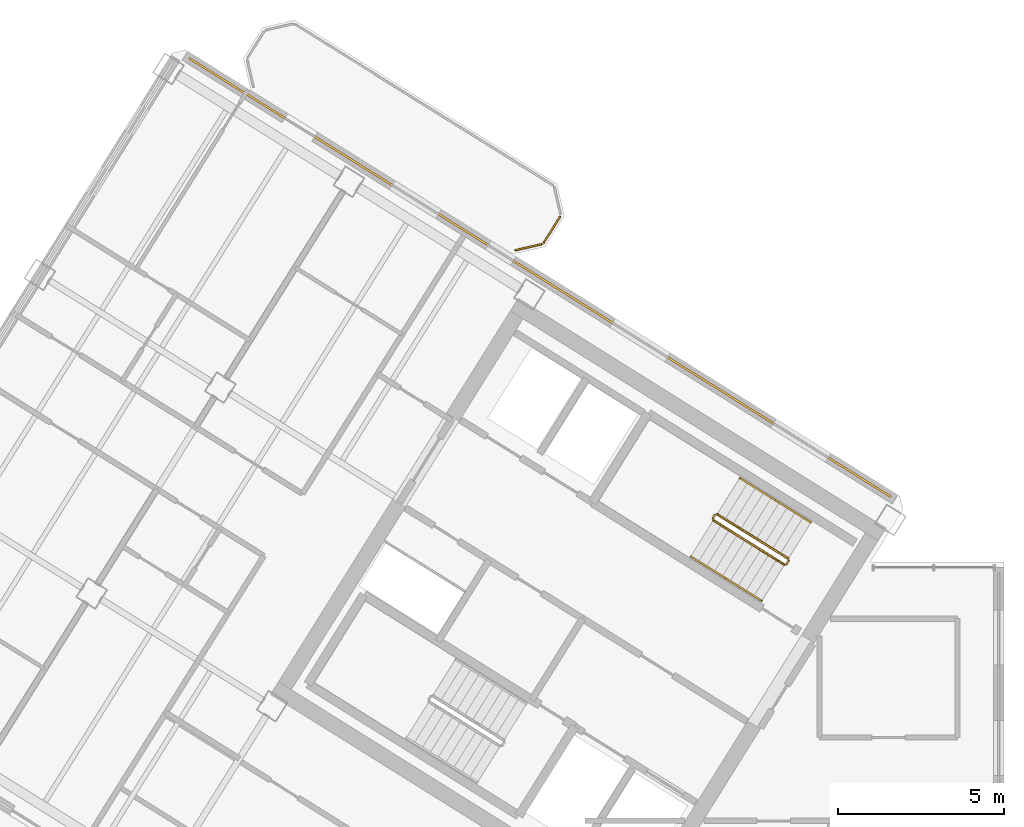
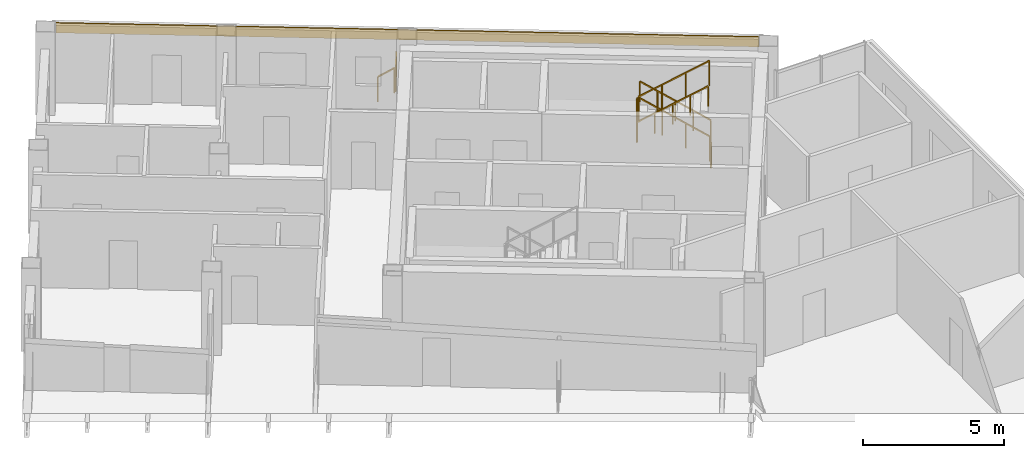
# One storey, part 12 of 13: 10 railings, 1 covering.
"""IFC4 building model written with IfcOpenShell, lengths in metres."""

from ifc_helpers import new_model, si_unit, direction, frame, origin, origin_2d, place, context, subcontext, project, spatial, rectangle, extrude, source, transform, mapped, material, layer, layer_set, type_object, element, save


model = new_model("IFC4")

# Units and contexts
model_context = context("Model", 3, precision=1e-05, world=origin(), true_north=direction((0.0, 1.0)))
body_context = subcontext(model_context, "Body", "Model", "MODEL_VIEW")
ifc_project = project(units=[si_unit("LENGTHUNIT", "METRE"), si_unit("AREAUNIT", "SQUARE_METRE"), si_unit("VOLUMEUNIT", "CUBIC_METRE"), si_unit("PLANEANGLEUNIT", "RADIAN"), si_unit("MASSUNIT", "GRAM", prefix="KILO")], contexts=[model_context])

# Site, building, storey
site_placement = place(None, origin())
site = spatial("IfcSite", under=ifc_project, at=site_placement, CompositionType="ELEMENT")
building_placement = place(site_placement, origin())
building = spatial("IfcBuilding", under=site, at=building_placement, Name="Tlacorven Tower", CompositionType="ELEMENT")
storey_placement = place(building_placement, frame((0.0, 0.0, 291.60009765625)))
storey = spatial("IfcBuildingStorey", under=building, at=storey_placement, Name="L74", CompositionType="ELEMENT", Elevation=291.60009765625)

# Railings
ifc_material_1 = material(Name="Aluminium and painted steel balustrade", Category="steel")
railing_type_1 = type_object("IfcRailingType", Name="RL-BAL-1100", PredefinedType="BALUSTRADE", material=ifc_material_1)
shared_shape_1 = source(origin(), body_context, "Body", "SweptSolid", [
    extrude(rectangle(XDim=0.048095703125, YDim=0.048095703125, at=origin_2d()), frame((0.0, 0.0, 1.076171875), z_axis=(-0.52987865805, -0.848073468364, 0.0), x_axis=(0.848073468364, -0.52987865805, 0.0)), (0.0, 0.0, 1.0), 0.912353515625),
    extrude(rectangle(XDim=0.0419921875, YDim=0.0419921875, at=origin_2d()), origin(), (0.0, 0.0, 1.0), 1.052001953125),
    extrude(rectangle(XDim=0.0419921875, YDim=0.0419921875, at=origin_2d()), frame((-0.4833984375, -0.773681640625, 0.0)), (0.0, 0.0, 1.0), 1.052001953125),
])
railing_1_placement = place(storey_placement, frame((30.845947265625, 33.588623046875, 0.0)))
element("IfcRailing", 1, at=railing_1_placement, inside=storey, type_object=railing_type_1, Name="BAL-L74-W-IN Guard Railing 2", PredefinedType="BALUSTRADE", context=body_context, shape_type="MappedRepresentation", body=[
    mapped(shared_shape_1, transform((0.0, 0.0, 0.0), scale=1.0)),
])
shared_shape_2 = source(origin(), body_context, "Body", "SweptSolid", [
    extrude(rectangle(XDim=0.048095703125, YDim=0.048095703125, at=origin_2d()), frame((0.0, 0.0, 1.076171875), z_axis=(-0.974345290916, -0.225058334816, 0.0), x_axis=(0.225058334816, -0.974345290916, 0.0)), (0.0, 0.0, 1.0), 0.80712890625),
    extrude(rectangle(XDim=0.0419921875, YDim=0.0419921875, at=origin_2d()), origin(), (0.0, 0.0, 1.0), 1.052001953125),
    extrude(rectangle(XDim=0.0419921875, YDim=0.0419921875, at=origin_2d()), frame((-0.786376953125, -0.181640625, 0.0)), (0.0, 0.0, 1.0), 1.052001953125),
])
railing_2_placement = place(storey_placement, frame((30.287353515625, 32.761474609375, 0.0)))
element("IfcRailing", 2, at=railing_2_placement, inside=storey, type_object=railing_type_1, Name="BAL-L74-W-IN Guard Railing 3", PredefinedType="BALUSTRADE", context=body_context, shape_type="MappedRepresentation", body=[
    mapped(shared_shape_2, transform((0.0, 0.0, 0.0), scale=1.0)),
])

# Covering
ifc_material_2 = material(Name="Precast concrete C45/55", Category="concrete")
ifc_layer = layer(ifc_material_2, 0.06005859375)
ifc_layer_set = layer_set([ifc_layer], Name="Precast concrete C45/55")
covering_type = type_object("IfcCoveringType", Name="CV-CLD-TERC", PredefinedType="CLADDING", material=ifc_layer_set)
shared_shape_3 = source(origin(), body_context, "Body", "SweptSolid", [
    extrude(rectangle(XDim=24.887451171875, YDim=0.06005859375, at=origin_2d()), origin(), (0.0, 0.0, 1.0), 0.419921875),
])
covering_placement = place(storey_placement, frame((30.245849609375, 31.76025390625, 2.929931640625), z_axis=(0.0, 0.0, 1.0), x_axis=(0.848048223032, -0.52991906119, 0.0)))
element("IfcCovering", 3, at=covering_placement, inside=storey, type_object=covering_type, Name="L74 Masonry-Frame Spandrel Cladding 4", PredefinedType="CLADDING", context=body_context, shape_type="MappedRepresentation", body=[
    mapped(shared_shape_3, transform((0.0, 0.0, 0.0), scale=1.0)),
])

# Railings
railing_type_2 = type_object("IfcRailingType", Name="RL-GRD-1100", PredefinedType="GUARDRAIL", material=ifc_material_1)
shared_shape_4 = source(origin(), body_context, "Body", "SweptSolid", [
    extrude(rectangle(XDim=0.048095703125, YDim=0.048095703125, at=origin_2d()), frame((0.0, 0.0, 1.076171875), z_axis=(-0.530546985787, -0.847655529016, 0.0), x_axis=(0.847655529016, -0.530546985787, 0.0)), (0.0, 0.0, 1.0), 0.1201171875),
    extrude(rectangle(XDim=0.0419921875, YDim=0.0419921875, at=origin_2d()), origin(), (0.0, 0.0, 1.0), 1.052001953125),
    extrude(rectangle(XDim=0.0419921875, YDim=0.0419921875, at=origin_2d()), frame((-0.063720703125, -0.101806640625, 0.0)), (0.0, 0.0, 1.0), 1.052001953125),
])
railing_3_placement = place(storey_placement, frame((37.728271484375, 23.24072265625, 0.0)))
element("IfcRailing", 4, at=railing_3_placement, inside=storey, type_object=railing_type_2, Name="L74 ST-W2 stair guard 4", PredefinedType="GUARDRAIL", context=body_context, shape_type="MappedRepresentation", body=[
    mapped(shared_shape_4, transform((0.0, 0.0, 0.0), scale=1.0)),
])
railing_type_3 = type_object("IfcRailingType", Name="RL-HND-0900", PredefinedType="HANDRAIL", material=ifc_material_1)
shared_shape_5 = source(origin(), body_context, "Body", "SweptSolid", [
    extrude(rectangle(XDim=0.048095703125, YDim=0.048095703125, at=origin_2d()), frame((0.0, 0.0, 0.8759765625), z_axis=(-0.713359751793, 0.4457479829, 0.540764828981), x_axis=(-0.529911857636, -0.848052724267, 0.0)), (0.0, 0.0, 1.0), 1.498046875),
    extrude(rectangle(XDim=0.0419921875, YDim=0.0419921875, at=origin_2d()), origin(), (0.0, 0.0, 1.0), 0.851806640625),
    extrude(rectangle(XDim=0.0419921875, YDim=0.0419921875, at=origin_2d()), frame((-0.5341796875, 0.333984375, 0.405029296875)), (0.0, 0.0, 1.0), 0.851806640625),
    extrude(rectangle(XDim=0.0419921875, YDim=0.0419921875, at=origin_2d()), frame((-1.068603515625, 0.667724609375, 0.81005859375)), (0.0, 0.0, 1.0), 0.851806640625),
])
railing_4_placement = place(storey_placement, frame((38.390625, 24.39501953125, 0.179931640625)))
element("IfcRailing", 5, at=railing_4_placement, inside=storey, type_object=railing_type_3, Name="L74 ST-W2 stair handrail 1", PredefinedType="HANDRAIL", context=body_context, shape_type="MappedRepresentation", body=[
    mapped(shared_shape_5, transform((0.0, 0.0, 0.0), scale=1.0)),
])
shared_shape_6 = source(origin(), body_context, "Body", "SweptSolid", [
    extrude(rectangle(XDim=0.048095703125, YDim=0.048095703125, at=origin_2d()), frame((0.0, 0.0, 0.8759765625), z_axis=(0.713359751793, -0.4457479829, 0.540764828981), x_axis=(0.529911857636, 0.848052724267, 0.0)), (0.0, 0.0, 1.0), 1.498046875),
    extrude(rectangle(XDim=0.0419921875, YDim=0.0419921875, at=origin_2d()), origin(), (0.0, 0.0, 1.0), 0.851806640625),
    extrude(rectangle(XDim=0.0419921875, YDim=0.0419921875, at=origin_2d()), frame((0.5341796875, -0.333984375, 0.405029296875)), (0.0, 0.0, 1.0), 0.851806640625),
    extrude(rectangle(XDim=0.0419921875, YDim=0.0419921875, at=origin_2d()), frame((1.068603515625, -0.667724609375, 0.81005859375)), (0.0, 0.0, 1.0), 0.851806640625),
])
railing_5_placement = place(storey_placement, frame((35.848876953125, 22.705078125, 2.789794921875)))
element("IfcRailing", 6, at=railing_5_placement, inside=storey, type_object=railing_type_3, Name="L74 ST-W2 stair handrail 4", PredefinedType="HANDRAIL", context=body_context, shape_type="MappedRepresentation", body=[
    mapped(shared_shape_6, transform((0.0, 0.0, 0.0), scale=1.0)),
])
shared_shape_7 = source(origin(), body_context, "Body", "SweptSolid", [
    extrude(rectangle(XDim=0.048095703125, YDim=0.048095703125, at=origin_2d()), frame((0.0, 0.0, 1.076171875), z_axis=(-0.713351164325, 0.445793541512, 0.540738601085), x_axis=(-0.529955395941, -0.84802551749, 0.0)), (0.0, 0.0, 1.0), 2.99560546875),
    extrude(rectangle(XDim=0.0419921875, YDim=0.0419921875, at=origin_2d()), origin(), (0.0, 0.0, 1.0), 1.052001953125),
    extrude(rectangle(XDim=0.0419921875, YDim=0.0419921875, at=origin_2d()), frame((-0.71240234375, 0.445068359375, 0.5400390625)), (0.0, 0.0, 1.0), 1.052001953125),
    extrude(rectangle(XDim=0.0419921875, YDim=0.0419921875, at=origin_2d()), frame((-1.424560546875, 0.890380859375, 1.079833984375)), (0.0, 0.0, 1.0), 1.052001953125),
    extrude(rectangle(XDim=0.0419921875, YDim=0.0419921875, at=origin_2d()), frame((-2.136962890625, 1.33544921875, 1.619873046875)), (0.0, 0.0, 1.0), 1.052001953125),
])
railing_6_placement = place(storey_placement, frame((37.712158203125, 23.3095703125, 0.179931640625)))
element("IfcRailing", 7, at=railing_6_placement, inside=storey, type_object=railing_type_2, Name="L74 ST-W2 stair guard 1", PredefinedType="GUARDRAIL", context=body_context, shape_type="MappedRepresentation", body=[
    mapped(shared_shape_7, transform((0.0, 0.0, 0.0), scale=1.0)),
])
shared_shape_8 = source(origin(), body_context, "Body", "SweptSolid", [
    extrude(rectangle(XDim=0.048095703125, YDim=0.048095703125, at=origin_2d()), frame((0.0, 0.0, 0.8759765625), z_axis=(-0.713422621445, 0.445787267455, 0.540649494022), x_axis=(-0.529911857636, -0.848052724267, 0.0)), (0.0, 0.0, 1.0), 1.497802734375),
    extrude(rectangle(XDim=0.0419921875, YDim=0.0419921875, at=origin_2d()), origin(), (0.0, 0.0, 1.0), 0.851806640625),
    extrude(rectangle(XDim=0.0419921875, YDim=0.0419921875, at=origin_2d()), frame((-0.5341796875, 0.333984375, 0.40478515625)), (0.0, 0.0, 1.0), 0.851806640625),
    extrude(rectangle(XDim=0.0419921875, YDim=0.0419921875, at=origin_2d()), frame((-1.068603515625, 0.667724609375, 0.809814453125)), (0.0, 0.0, 1.0), 0.851806640625),
])
railing_7_placement = place(storey_placement, frame((37.322021484375, 25.062744140625, 0.989990234375)))
element("IfcRailing", 8, at=railing_7_placement, inside=storey, type_object=railing_type_3, Name="L74 ST-W2 stair handrail 2", PredefinedType="HANDRAIL", context=body_context, shape_type="MappedRepresentation", body=[
    mapped(shared_shape_8, transform((0.0, 0.0, 0.0), scale=1.0)),
])
shared_shape_9 = source(origin(), body_context, "Body", "SweptSolid", [
    extrude(rectangle(XDim=0.048095703125, YDim=0.048095703125, at=origin_2d()), frame((0.0, 0.0, 0.8759765625), z_axis=(0.713422621445, -0.445787267455, 0.540649494022), x_axis=(0.529911857636, 0.848052724267, 0.0)), (0.0, 0.0, 1.0), 1.497802734375),
    extrude(rectangle(XDim=0.0419921875, YDim=0.0419921875, at=origin_2d()), origin(), (0.0, 0.0, 1.0), 0.851806640625),
    extrude(rectangle(XDim=0.0419921875, YDim=0.0419921875, at=origin_2d()), frame((0.5341796875, -0.333984375, 0.40478515625)), (0.0, 0.0, 1.0), 0.851806640625),
    extrude(rectangle(XDim=0.0419921875, YDim=0.0419921875, at=origin_2d()), frame((1.068603515625, -0.667724609375, 0.809814453125)), (0.0, 0.0, 1.0), 0.851806640625),
])
railing_8_placement = place(storey_placement, frame((34.7802734375, 23.372802734375, 1.97998046875)))
element("IfcRailing", 9, at=railing_8_placement, inside=storey, type_object=railing_type_3, Name="L74 ST-W2 stair handrail 3", PredefinedType="HANDRAIL", context=body_context, shape_type="MappedRepresentation", body=[
    mapped(shared_shape_9, transform((0.0, 0.0, 0.0), scale=1.0)),
])
shared_shape_10 = source(origin(), body_context, "Body", "SweptSolid", [
    extrude(rectangle(XDim=0.048095703125, YDim=0.048095703125, at=origin_2d()), frame((0.0, 0.0, 1.076171875), z_axis=(-0.531462422766, -0.847081869236, 0.0), x_axis=(0.847081869236, -0.531462422766, 0.0)), (0.0, 0.0, 1.0), 0.119873046875),
    extrude(rectangle(XDim=0.0419921875, YDim=0.0419921875, at=origin_2d()), origin(), (0.0, 0.0, 1.0), 1.052001953125),
    extrude(rectangle(XDim=0.0419921875, YDim=0.0419921875, at=origin_2d()), frame((-0.063720703125, -0.1015625, 0.0)), (0.0, 0.0, 1.0), 1.052001953125),
])
railing_9_placement = place(storey_placement, frame((35.50634765625, 24.62890625, 1.7998046875)))
element("IfcRailing", 10, at=railing_9_placement, inside=storey, type_object=railing_type_2, Name="L74 ST-W2 stair guard 2", PredefinedType="GUARDRAIL", context=body_context, shape_type="MappedRepresentation", body=[
    mapped(shared_shape_10, transform((0.0, 0.0, 0.0), scale=1.0)),
])
shared_shape_11 = source(origin(), body_context, "Body", "SweptSolid", [
    extrude(rectangle(XDim=0.048095703125, YDim=0.048095703125, at=origin_2d()), frame((0.0, 0.0, 1.076171875), z_axis=(0.713417101326, -0.445702322042, 0.540726806865), x_axis=(0.52984217967, 0.848096259066, 0.0)), (0.0, 0.0, 1.0), 2.995849609375),
    extrude(rectangle(XDim=0.0419921875, YDim=0.0419921875, at=origin_2d()), origin(), (0.0, 0.0, 1.0), 1.052001953125),
    extrude(rectangle(XDim=0.0419921875, YDim=0.0419921875, at=origin_2d()), frame((0.71240234375, -0.445068359375, 0.5400390625)), (0.0, 0.0, 1.0), 1.052001953125),
    extrude(rectangle(XDim=0.0419921875, YDim=0.0419921875, at=origin_2d()), frame((1.4248046875, -0.89013671875, 1.079833984375)), (0.0, 0.0, 1.0), 1.052001953125),
    extrude(rectangle(XDim=0.0419921875, YDim=0.0419921875, at=origin_2d()), frame((2.13720703125, -1.335205078125, 1.619873046875)), (0.0, 0.0, 1.0), 1.052001953125),
])
railing_10_placement = place(storey_placement, frame((35.45849609375, 24.458251953125, 1.97998046875)))
element("IfcRailing", 11, at=railing_10_placement, inside=storey, type_object=railing_type_2, Name="L74 ST-W2 stair guard 3", PredefinedType="GUARDRAIL", context=body_context, shape_type="MappedRepresentation", body=[
    mapped(shared_shape_11, transform((0.0, 0.0, 0.0), scale=1.0)),
])

save(model, "model.ifc")
